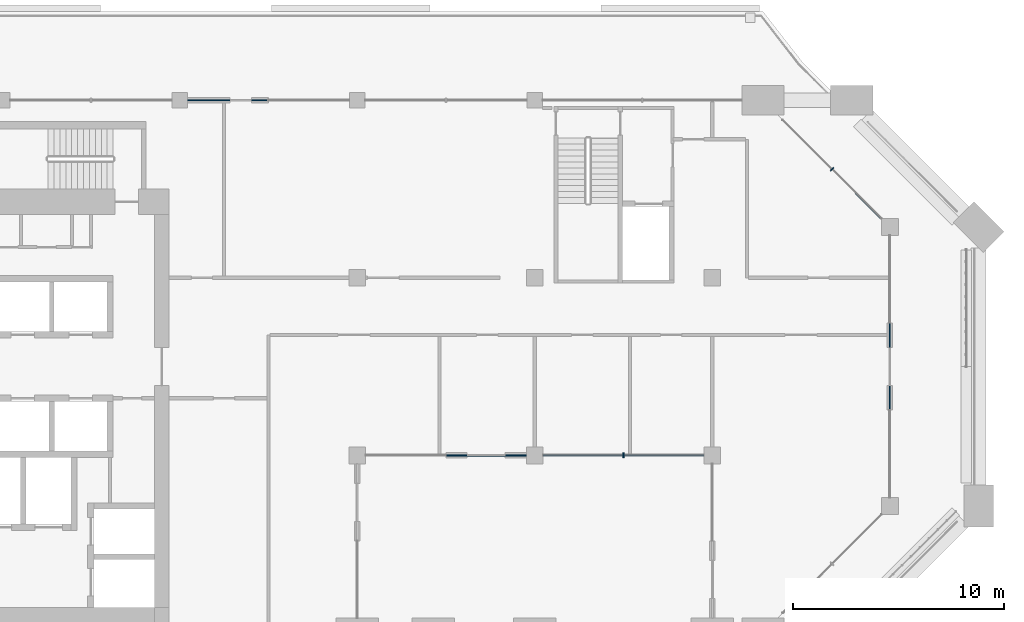
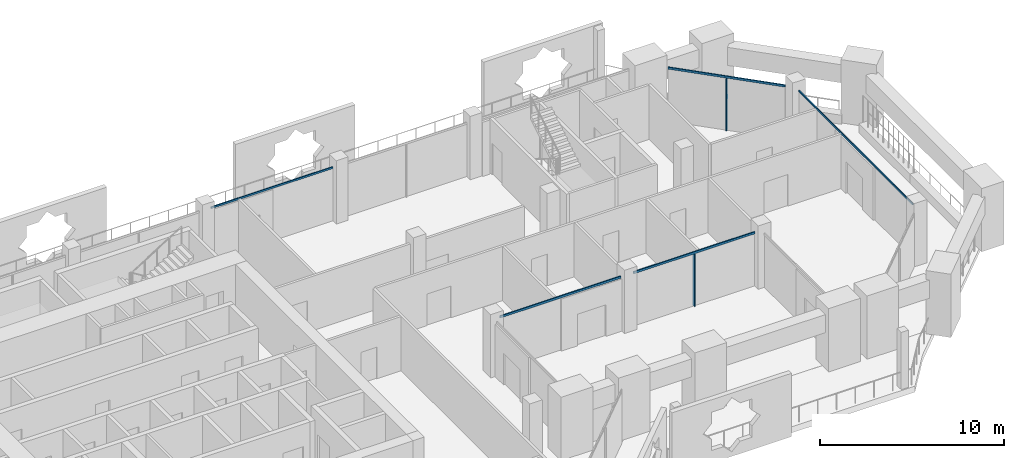
# One storey, part 7 of 20: 7 members, 4 elements without a shape of their own.
"""IFC4 building model written with IfcOpenShell, lengths in metres."""

from ifc_helpers import new_model, si_unit, direction, frame, origin, origin_2d, place, context, subcontext, project, spatial, rectangle, extrude, material, layer, layer_set, material_profile, profile_set, type_object, element, aggregate, save


model = new_model("IFC4")

# Units and contexts
model_context = context("Model", 3, precision=1e-05, world=origin(), true_north=direction((0.0, 1.0)))
body_context = subcontext(model_context, "Body", "Model", "MODEL_VIEW")
ifc_project = project(units=[si_unit("LENGTHUNIT", "METRE"), si_unit("AREAUNIT", "SQUARE_METRE"), si_unit("VOLUMEUNIT", "CUBIC_METRE"), si_unit("PLANEANGLEUNIT", "RADIAN"), si_unit("MASSUNIT", "GRAM", prefix="KILO")], contexts=[model_context])

# Site, building, storey
site_placement = place(None, origin())
site = spatial("IfcSite", under=ifc_project, at=site_placement, CompositionType="ELEMENT")
building_placement = place(site_placement, origin())
building = spatial("IfcBuilding", under=site, at=building_placement, Name="Kawkab Arch Medical Tower", CompositionType="ELEMENT")
storey_placement = place(building_placement, frame((0.0, 0.0, 277.60009765625)))
storey = spatial("IfcBuildingStorey", under=building, at=storey_placement, Name="L64", CompositionType="ELEMENT", Elevation=277.60009765625)

# Curtain wall, member
ifc_material_1 = material(Name="Bronze anodised aluminium curtain wall frame", Category="aluminium")
ifc_layer_1 = layer(ifc_material_1, 0.159912109375)
ifc_layer_set_1 = layer_set([ifc_layer_1], Name="Bronze anodised aluminium curtain wall frame")
curtain_wall_type_1 = type_object("IfcCurtainWallType", Name="CW1 ward curtain wall", PredefinedType="NOTDEFINED", material=ifc_layer_set_1)
placement = place(storey_placement, origin())
curtain_wall_1 = element("IfcCurtainWall", 1, at=placement, inside=storey, type_object=curtain_wall_type_1, Name="CW1 Ward curtain wall R08", PredefinedType="NOTDEFINED")
ifc_material_2 = material(Name="Bronze anodised aluminium curtain wall frame", Category="aluminium")
ifc_material_profile_1 = material_profile(ifc_material_2, rectangle(XDim=0.06005859375, YDim=0.1201171875, at=origin_2d()), Name="AL 60x120")
ifc_profile_set_1 = profile_set([ifc_material_profile_1], Name="Bronze anodised aluminium curtain wall frame")
member_type_1 = type_object("IfcMemberType", Name="CW1 transom 120 x 60", PredefinedType="USERDEFINED", material=ifc_profile_set_1)
member_1_placement = place(storey_placement, frame((58.800048828125, -18.800048828125, 3.539794921875), z_axis=(0.0, 1.0, 0.0), x_axis=(-1.0, 0.0, 0.0)))
member_1 = element("IfcMember", 2, at=member_1_placement, type_object=member_type_1, Name="CW1 transom 1", ObjectType="TRANSOM", PredefinedType="USERDEFINED", context=body_context, shape_type="SweptSolid", body=[
    extrude(rectangle(XDim=0.06005859375, YDim=0.1201171875, at=origin_2d()), origin(), (0.0, 0.0, 1.0), 12.400146484375),
])
aggregate(curtain_wall_1, [member_1])

curtain_wall_2 = element("IfcCurtainWall", 3, at=placement, inside=storey, type_object=curtain_wall_type_1, Name="CW1 Ward curtain wall R10", PredefinedType="NOTDEFINED")
member_2_placement = place(storey_placement, frame((33.22509765625, 0.0, 3.539794921875), z_axis=(-1.0, 0.0, 0.0), x_axis=(0.0, -1.0, 0.0)))
member_2 = element("IfcMember", 4, at=member_2_placement, type_object=member_type_1, Name="CW1 transom 3", ObjectType="TRANSOM", PredefinedType="USERDEFINED", context=body_context, shape_type="SweptSolid", body=[
    extrude(rectangle(XDim=0.06005859375, YDim=0.1201171875, at=origin_2d()), origin(), (0.0, 0.0, 1.0), 7.650146484375),
])
aggregate(curtain_wall_2, [member_2])

# Curtain wall, members
ifc_material_3 = material(Name="Bronze anodised aluminium curtain wall frame", Category="aluminium")
ifc_layer_2 = layer(ifc_material_3, 0.159912109375)
ifc_layer_set_2 = layer_set([ifc_layer_2], Name="Bronze anodised aluminium curtain wall frame")
curtain_wall_type_2 = type_object("IfcCurtainWallType", Name="CW2 chamfer curtain wall", PredefinedType="NOTDEFINED", material=ifc_layer_set_2)
curtain_wall_3 = element("IfcCurtainWall", 5, at=placement, inside=storey, type_object=curtain_wall_type_2, Name="CW2 Chamfer curtain wall R09", PredefinedType="NOTDEFINED")
ifc_material_4 = material(Name="Bronze anodised aluminium curtain wall frame", Category="aluminium")
ifc_material_profile_2 = material_profile(ifc_material_4, rectangle(XDim=0.199951171875, YDim=0.06005859375, at=origin_2d()), Name="AL 60x200")
ifc_profile_set_2 = profile_set([ifc_material_profile_2], Name="Bronze anodised aluminium curtain wall frame")
member_type_2 = type_object("IfcMemberType", Name="CW2 mullion 60 x 200", PredefinedType="MULLION", material=ifc_profile_set_2)
member_3_placement = place(storey_placement, frame((56.065185546875, -3.26513671875, 0.0), z_axis=(0.0, 0.0, 1.0), x_axis=(-0.707106781187, -0.707106781187, 0.0)))
member_3 = element("IfcMember", 6, at=member_3_placement, type_object=member_type_2, Name="CW2 mullion 1.1", PredefinedType="MULLION", context=body_context, shape_type="SweptSolid", body=[
    extrude(rectangle(XDim=0.199951171875, YDim=0.06005859375, at=origin_2d()), origin(), (0.0, 0.0, 1.0), 3.4599609375),
])
ifc_material_5 = material(Name="Bronze anodised aluminium curtain wall frame", Category="aluminium")
ifc_material_profile_3 = material_profile(ifc_material_5, rectangle(XDim=0.06005859375, YDim=0.139892578125, at=origin_2d()), Name="AL 60x140")
ifc_profile_set_3 = profile_set([ifc_material_profile_3], Name="Bronze anodised aluminium curtain wall frame")
member_type_3 = type_object("IfcMemberType", Name="CW2 transom 140 x 60", PredefinedType="USERDEFINED", material=ifc_profile_set_3)
member_4_placement = place(storey_placement, frame((58.39990234375, -5.60009765625, 3.52978515625), z_axis=(-0.707106781187, 0.707106781187, 0.0), x_axis=(-0.707106781187, -0.707106781187, 0.0)))
member_4 = element("IfcMember", 7, at=member_4_placement, type_object=member_type_3, Name="CW2 transom 1", ObjectType="TRANSOM", PredefinedType="USERDEFINED", context=body_context, shape_type="SweptSolid", body=[
    extrude(rectangle(XDim=0.06005859375, YDim=0.139892578125, at=origin_2d()), origin(), (0.0, 0.0, 1.0), 6.60400390625),
])
aggregate(curtain_wall_3, [member_4, member_3])

ifc_material_6 = material(Name="Bronze anodised aluminium curtain wall frame", Category="aluminium")
ifc_layer_3 = layer(ifc_material_6, 0.159912109375)
ifc_layer_set_3 = layer_set([ifc_layer_3], Name="Bronze anodised aluminium curtain wall frame")
curtain_wall_type_3 = type_object("IfcCurtainWallType", Name="CW3 sky garden curtain wall", PredefinedType="NOTDEFINED", material=ifc_layer_set_3)
curtain_wall_4 = element("IfcCurtainWall", 8, at=placement, inside=storey, type_object=curtain_wall_type_3, Name="CW3 Sky garden curtain wall R04", PredefinedType="NOTDEFINED")
ifc_material_7 = material(Name="Bronze anodised aluminium curtain wall frame", Category="aluminium")
ifc_material_profile_4 = material_profile(ifc_material_7, rectangle(XDim=0.219970703125, YDim=0.070068359375, at=origin_2d()), Name="AL 70x220")
ifc_profile_set_4 = profile_set([ifc_material_profile_4], Name="Bronze anodised aluminium curtain wall frame")
member_type_4 = type_object("IfcMemberType", Name="CW3 mullion 70 x 220", PredefinedType="MULLION", material=ifc_profile_set_4)
member_5_placement = place(storey_placement, frame((46.199951171875, -16.800048828125, 0.0), z_axis=(0.0, 0.0, 1.0), x_axis=(0.0, 1.0, 0.0)))
member_5 = element("IfcMember", 9, at=member_5_placement, type_object=member_type_4, Name="CW3 mullion 2.1", PredefinedType="MULLION", context=body_context, shape_type="SweptSolid", body=[
    extrude(rectangle(XDim=0.219970703125, YDim=0.070068359375, at=origin_2d()), origin(), (0.0, 0.0, 1.0), 3.4599609375),
])
ifc_material_8 = material(Name="Bronze anodised aluminium curtain wall frame", Category="aluminium")
ifc_material_profile_5 = material_profile(ifc_material_8, rectangle(XDim=0.070068359375, YDim=0.139892578125, at=origin_2d()), Name="AL 70x140")
ifc_profile_set_5 = profile_set([ifc_material_profile_5], Name="Bronze anodised aluminium curtain wall frame")
member_type_5 = type_object("IfcMemberType", Name="CW3 transom 140 x 70", PredefinedType="USERDEFINED", material=ifc_profile_set_5)
member_6_placement = place(storey_placement, frame((34.0, -16.800048828125, 3.52978515625), z_axis=(1.0, 0.0, 0.0), x_axis=(0.0, 1.0, 0.0)))
member_6 = element("IfcMember", 10, at=member_6_placement, type_object=member_type_5, Name="CW3 transom 1", ObjectType="TRANSOM", PredefinedType="USERDEFINED", context=body_context, shape_type="SweptSolid", body=[
    extrude(rectangle(XDim=0.070068359375, YDim=0.139892578125, at=origin_2d()), origin(), (0.0, 0.0, 1.0), 7.60009765625),
])
member_7_placement = place(storey_placement, frame((42.39990234375, -16.800048828125, 3.52978515625), z_axis=(1.0, 0.0, 0.0), x_axis=(0.0, 1.0, 0.0)))
member_7 = element("IfcMember", 11, at=member_7_placement, type_object=member_type_5, Name="CW3 transom 2", ObjectType="TRANSOM", PredefinedType="USERDEFINED", context=body_context, shape_type="SweptSolid", body=[
    extrude(rectangle(XDim=0.070068359375, YDim=0.139892578125, at=origin_2d()), origin(), (0.0, 0.0, 1.0), 7.60009765625),
])
aggregate(curtain_wall_4, [member_6, member_7, member_5])

save(model, "model.ifc")
